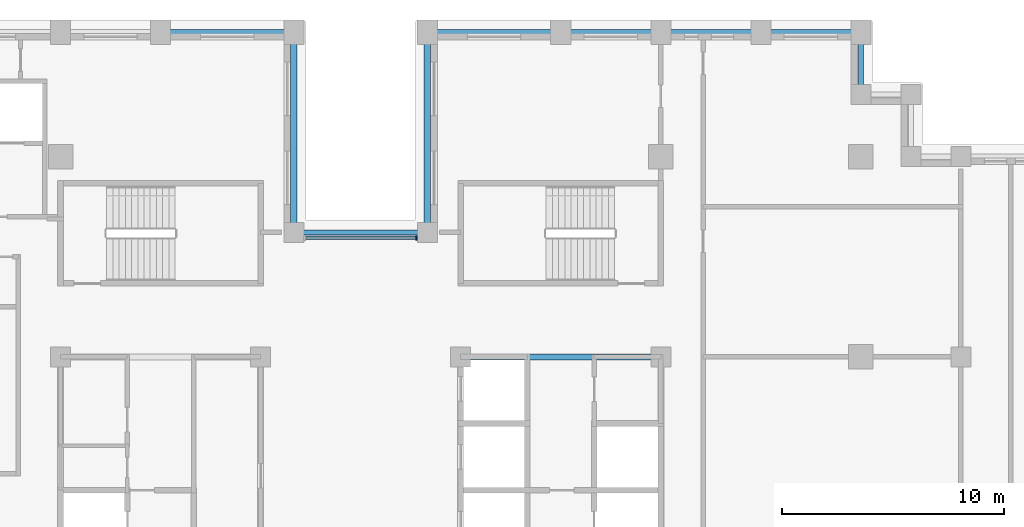
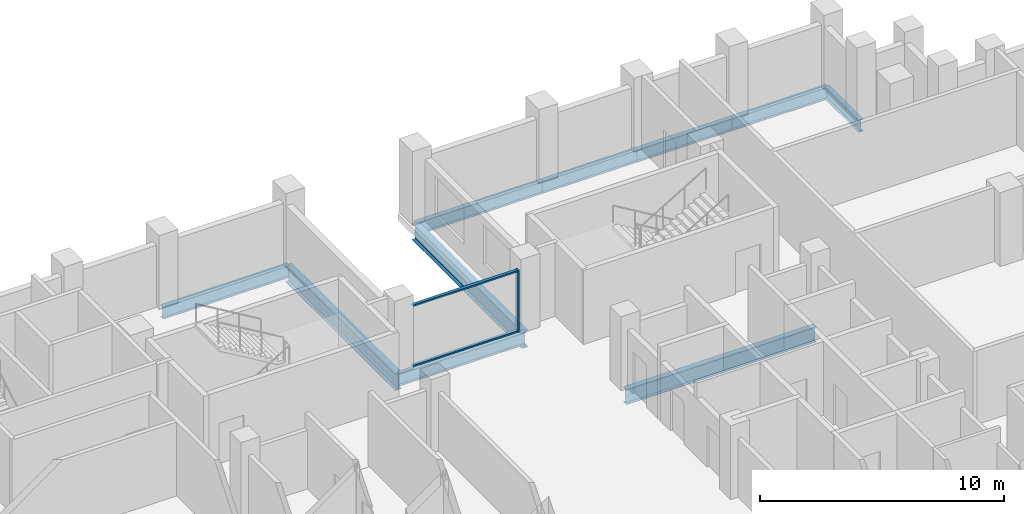
# One storey, part 4 of 15: 10 beams, 3 members, 1 element without a shape of its own.
"""IFC4 building model written with IfcOpenShell, lengths in metres."""

from ifc_helpers import new_model, si_unit, direction, frame, origin, origin_2d, place, context, subcontext, project, spatial, rectangle, i_section, extrude, material, layer, layer_set, material_profile, profile_set, type_object, element, aggregate, save


model = new_model("IFC4")

# Units and contexts
model_context = context("Model", 3, precision=1e-05, world=origin(), true_north=direction((0.0, 1.0)))
body_context = subcontext(model_context, "Body", "Model", "MODEL_VIEW")
ifc_project = project(units=[si_unit("LENGTHUNIT", "METRE"), si_unit("AREAUNIT", "SQUARE_METRE"), si_unit("VOLUMEUNIT", "CUBIC_METRE"), si_unit("PLANEANGLEUNIT", "RADIAN"), si_unit("MASSUNIT", "GRAM", prefix="KILO")], contexts=[model_context])

# Site, building, storey
site_placement = place(None, origin())
site = spatial("IfcSite", under=ifc_project, at=site_placement, CompositionType="ELEMENT")
building_placement = place(site_placement, origin())
building = spatial("IfcBuilding", under=site, at=building_placement, Name="Corbelhall Arena Tower", CompositionType="ELEMENT")
storey_placement = place(building_placement, frame((0.0, 0.0, 142.0)))
storey = spatial("IfcBuildingStorey", under=building, at=storey_placement, Name="L27", CompositionType="ELEMENT", Elevation=142.0)

# Curtain wall, members
ifc_material_1 = material(Name="Aluminium black anodised", Category="aluminium")
ifc_layer = layer(ifc_material_1, 0.199951171875)
ifc_layer_set = layer_set([ifc_layer], Name="EV-CW1 Slot back wall")
curtain_wall_type = type_object("IfcCurtainWallType", Name="EV-CW1 Slot back wall", PredefinedType="NOTDEFINED", material=ifc_layer_set)
curtain_wall_placement = place(storey_placement, origin())
curtain_wall = element("IfcCurtainWall", 1, at=curtain_wall_placement, inside=storey, type_object=curtain_wall_type, Name="Curtain wall CW1", PredefinedType="NOTDEFINED")
ifc_material_profile_1 = material_profile(ifc_material_1, rectangle(XDim=0.199951171875, YDim=0.074951171875, at=origin_2d()))
ifc_profile_set_1 = profile_set([ifc_material_profile_1], Name="Aluminium black anodised")
member_type_1 = type_object("IfcMemberType", Name="EV-CW1-MULLION", PredefinedType="MULLION", material=ifc_profile_set_1)
member_1_placement = place(storey_placement, frame((2.512451171875, 14.35009765625, 0.0), z_axis=(0.0, 0.0, 1.0), x_axis=(0.0, -1.0, 0.0)))
member_1 = element("IfcMember", 2, at=member_1_placement, type_object=member_type_1, Name="CW1 mullion 1", PredefinedType="MULLION", context=body_context, shape_type="SweptSolid", body=[
    extrude(rectangle(XDim=0.199951171875, YDim=0.074951171875, at=origin_2d()), origin(), (0.0, 0.0, 1.0), 3.10009765625),
])
ifc_material_profile_2 = material_profile(ifc_material_1, rectangle(XDim=0.14990234375, YDim=0.074951171875, at=origin_2d()))
ifc_profile_set_2 = profile_set([ifc_material_profile_2], Name="Aluminium black anodised")
member_type_2 = type_object("IfcMemberType", Name="EV-CW1-TRANSOM", PredefinedType="USERDEFINED", material=ifc_profile_set_2)
member_2_placement = place(storey_placement, frame((2.47509765625, 14.35009765625, 0.03759765625), z_axis=(-1.0, 0.0, 0.0), x_axis=(0.0, -1.0, 0.0)))
member_2 = element("IfcMember", 3, at=member_2_placement, type_object=member_type_2, Name="CW1 transom 1.1", ObjectType="transom", PredefinedType="USERDEFINED", context=body_context, shape_type="SweptSolid", body=[
    extrude(rectangle(XDim=0.14990234375, YDim=0.074951171875, at=origin_2d()), origin(), (0.0, 0.0, 1.0), 4.9501953125),
])
member_3_placement = place(storey_placement, frame((2.47509765625, 14.35009765625, 3.0625), z_axis=(-1.0, 0.0, 0.0), x_axis=(0.0, -1.0, 0.0)))
member_3 = element("IfcMember", 4, at=member_3_placement, type_object=member_type_2, Name="CW1 transom 1.2", ObjectType="transom", PredefinedType="USERDEFINED", context=body_context, shape_type="SweptSolid", body=[
    extrude(rectangle(XDim=0.14990234375, YDim=0.074951171875, at=origin_2d()), origin(), (0.0, 0.0, 1.0), 4.9501953125),
])
aggregate(curtain_wall, [member_1, member_2, member_3])

# Beams
ifc_material_2 = material(Name="Steel ASTM A992 Gr50", Category="steel")
ifc_material_profile_3 = material_profile(ifc_material_2, i_section(OverallWidth=0.2666015625, OverallDepth=0.761962890625, WebThickness=0.014404296875, FlangeThickness=0.021484375, at=origin_2d()))
ifc_profile_set_3 = profile_set([ifc_material_profile_3], Name="Steel ASTM A992 Gr50")
beam_type_1 = type_object("IfcBeamType", Name="ST-BEAM-W30x116", PredefinedType="BEAM", material=ifc_profile_set_3)
beam_1_placement = place(storey_placement, frame((4.5, 9.0, -0.680908203125), z_axis=(1.0, 0.0, 0.0), x_axis=(0.0, 1.0, 0.0)))
element("IfcBeam", 5, at=beam_1_placement, inside=storey, type_object=beam_type_1, Name="Beam CEE 12", PredefinedType="BEAM", context=body_context, shape_type="SweptSolid", body=[
    extrude(i_section(OverallWidth=0.2666015625, OverallDepth=0.761962890625, WebThickness=0.014404296875, FlangeThickness=0.021484375, at=origin_2d()), origin(), (0.0, 0.0, 1.0), 9.0),
])
ifc_material_profile_4 = material_profile(ifc_material_2, i_section(OverallWidth=0.22900390625, OverallDepth=0.612060546875, WebThickness=0.011962890625, FlangeThickness=0.01953125, at=origin_2d()))
ifc_profile_set_4 = profile_set([ifc_material_profile_4], Name="Steel ASTM A992 Gr50")
beam_type_2 = type_object("IfcBeamType", Name="ST-SPANDREL-W24x84", PredefinedType="SPANDREL", material=ifc_profile_set_4)
beam_2_placement = place(storey_placement, frame((3.0, 23.60009765625, -0.60595703125), z_axis=(1.0, 0.0, 0.0), x_axis=(0.0, 1.0, 0.0)))
element("IfcBeam", 6, at=beam_2_placement, inside=storey, type_object=beam_type_2, Name="Beam SP 17", PredefinedType="SPANDREL", context=body_context, shape_type="SweptSolid", body=[
    extrude(i_section(OverallWidth=0.22900390625, OverallDepth=0.612060546875, WebThickness=0.011962890625, FlangeThickness=0.01953125, at=origin_2d()), origin(), (0.0, 0.0, 1.0), 6.0),
])
for number, where, z_axis, x_axis, name in (
    (7, (9.0, 23.60009765625, -0.60595703125), (1.0, 0.0, 0.0), (0.0, 1.0, 0.0), "Beam SP 18"),
    (8, (13.5, 23.60009765625, -0.60595703125), (1.0, 0.0, 0.0), (0.0, 1.0, 0.0), "Beam SP 19"),
    (9, (18.0, 23.60009765625, -0.60595703125), (1.0, 0.0, 0.0), (0.0, 1.0, 0.0), "Beam SP 20"),
):
    element("IfcBeam", number, at=place(storey_placement, frame(where, z_axis=z_axis, x_axis=x_axis)), inside=storey, type_object=beam_type_2, Name=name, PredefinedType="SPANDREL", context=body_context, shape_type="SweptSolid", body=[
        extrude(i_section(OverallWidth=0.22900390625, OverallDepth=0.612060546875, WebThickness=0.011962890625, FlangeThickness=0.01953125, at=origin_2d()), origin(), (0.0, 0.0, 1.0), 4.5),
    ])
beam_3_placement = place(storey_placement, frame((22.5, 23.60009765625, -0.60595703125), z_axis=(0.0, -1.0, 0.0), x_axis=(1.0, 0.0, 0.0)))
element("IfcBeam", 10, at=beam_3_placement, inside=storey, type_object=beam_type_2, Name="Beam SP 21", PredefinedType="SPANDREL", context=body_context, shape_type="SweptSolid", body=[
    extrude(i_section(OverallWidth=0.22900390625, OverallDepth=0.612060546875, WebThickness=0.011962890625, FlangeThickness=0.01953125, at=origin_2d()), origin(), (0.0, 0.0, 1.0), 2.800048828125),
])
for number, where, z_axis, x_axis, name in (
    (11, (-9.0, 23.60009765625, -0.60595703125), (1.0, 0.0, 0.0), (0.0, 1.0, 0.0), "Beam SP 23"),
    (12, (-3.0, 14.60009765625, -0.60595703125), (1.0, 0.0, 0.0), (0.0, 1.0, 0.0), "Beam SP 40"),
):
    element("IfcBeam", number, at=place(storey_placement, frame(where, z_axis=z_axis, x_axis=x_axis)), inside=storey, type_object=beam_type_2, Name=name, PredefinedType="SPANDREL", context=body_context, shape_type="SweptSolid", body=[
        extrude(i_section(OverallWidth=0.22900390625, OverallDepth=0.612060546875, WebThickness=0.011962890625, FlangeThickness=0.01953125, at=origin_2d()), origin(), (0.0, 0.0, 1.0), 6.0),
    ])
ifc_material_profile_5 = material_profile(ifc_material_2, i_section(OverallWidth=0.2919921875, OverallDepth=0.845703125, WebThickness=0.015380859375, FlangeThickness=0.0244140625, at=origin_2d()))
ifc_profile_set_5 = profile_set([ifc_material_profile_5], Name="Steel ASTM A992 Gr50")
beam_type_3 = type_object("IfcBeamType", Name="ST-SPANDREL-W33x141", PredefinedType="SPANDREL", material=ifc_profile_set_5)
for number, where, z_axis, x_axis, name in (
    (13, (-3.0, 23.60009765625, -0.722900390625), (0.0, -1.0, 0.0), (1.0, 0.0, 0.0), "Beam SP 22"),
    (14, (3.0, 14.60009765625, -0.722900390625), (0.0, 1.0, 0.0), (-1.0, 0.0, 0.0), "Beam SP 39"),
):
    element("IfcBeam", number, at=place(storey_placement, frame(where, z_axis=z_axis, x_axis=x_axis)), inside=storey, type_object=beam_type_3, Name=name, PredefinedType="SPANDREL", context=body_context, shape_type="SweptSolid", body=[
        extrude(i_section(OverallWidth=0.2919921875, OverallDepth=0.845703125, WebThickness=0.015380859375, FlangeThickness=0.0244140625, at=origin_2d()), origin(), (0.0, 0.0, 1.0), 9.0),
    ])

save(model, "model.ifc")
